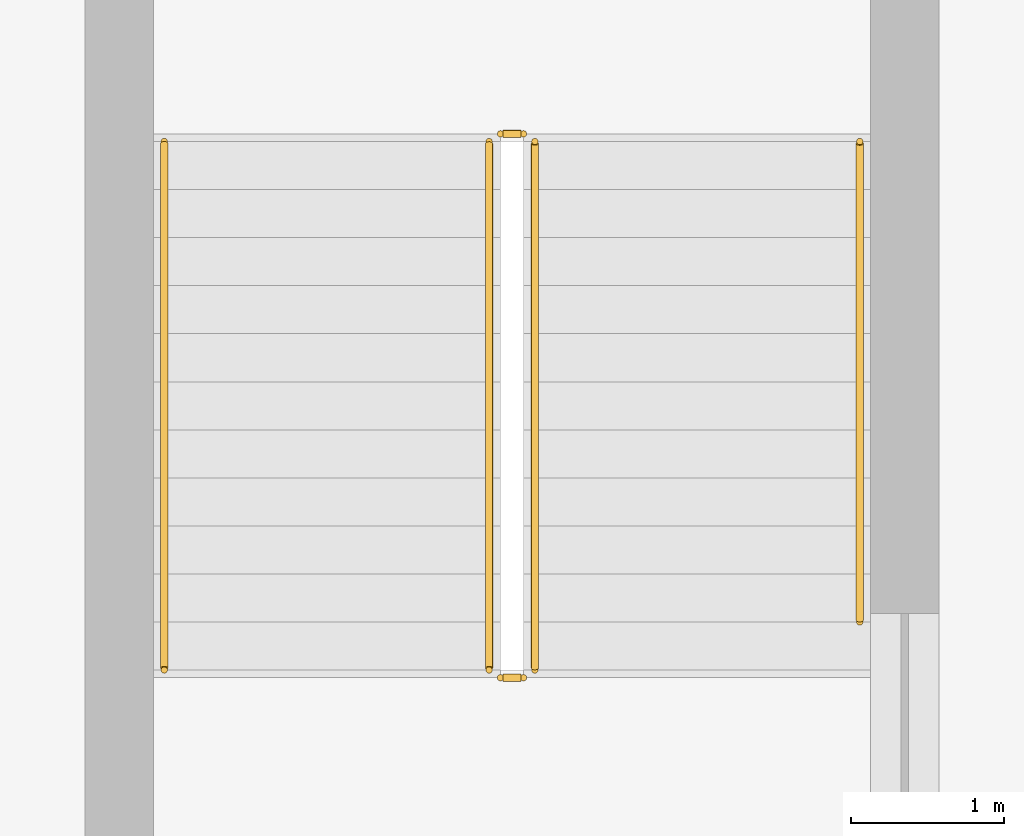
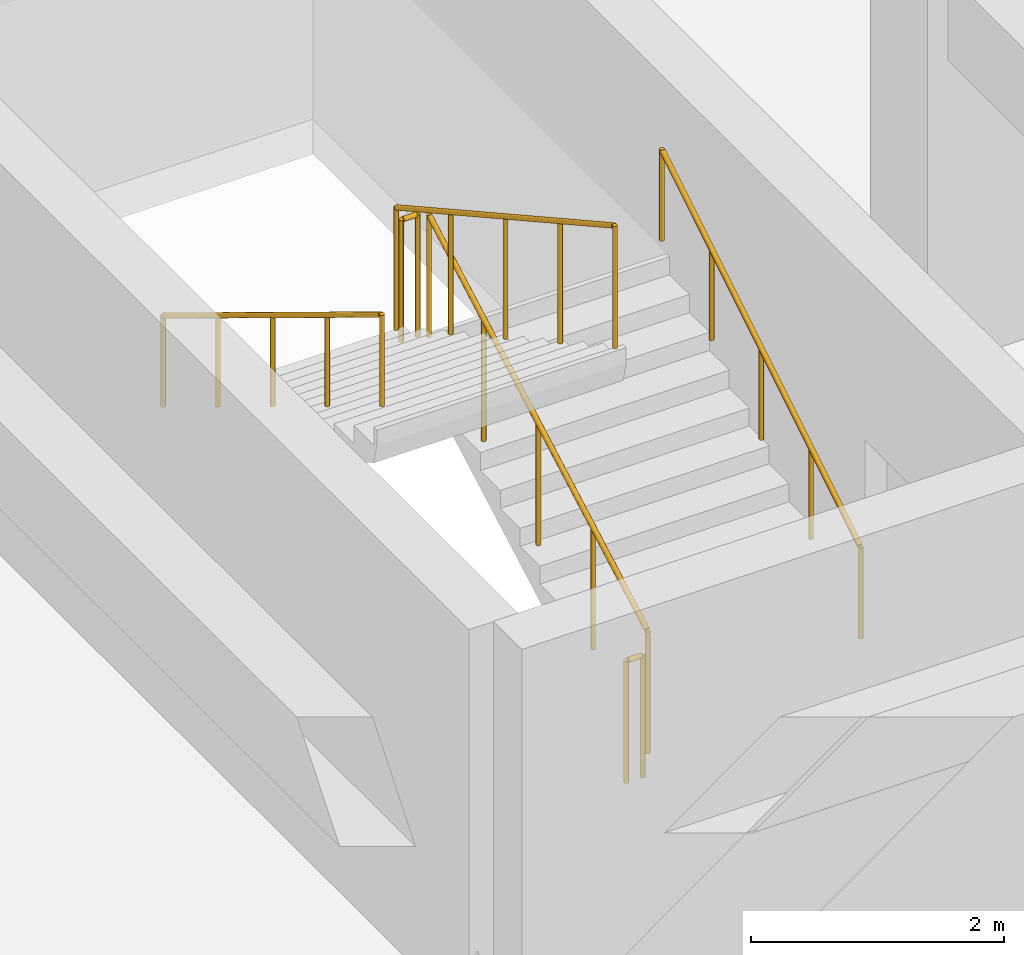
# One storey, part 24 of 39: 6 railings.
"""IFC4 building model written with IfcOpenShell, lengths in metres."""

from ifc_helpers import new_model, si_unit, direction, frame, origin, origin_2d, place, context, subcontext, project, spatial, circle, extrude, material, type_object, element, save


model = new_model("IFC4")

# Units and contexts
model_context = context("Model", 3, precision=1e-05, world=origin(), true_north=direction((0.0, 1.0)))
body_context = subcontext(model_context, "Body", "Model", "MODEL_VIEW")
ifc_project = project(units=[si_unit("LENGTHUNIT", "METRE"), si_unit("AREAUNIT", "SQUARE_METRE"), si_unit("VOLUMEUNIT", "CUBIC_METRE"), si_unit("PLANEANGLEUNIT", "RADIAN"), si_unit("MASSUNIT", "GRAM", prefix="KILO")], contexts=[model_context])

# Site, building, storey
site_placement = place(None, origin())
site = spatial("IfcSite", under=ifc_project, at=site_placement, CompositionType="ELEMENT")
building_placement = place(site_placement, origin())
building = spatial("IfcBuilding", under=site, at=building_placement, Name="Nakhvara Creek Congress Hotel", CompositionType="ELEMENT")
storey_placement = place(building_placement, frame((0.0, 0.0, -4.199951171875)))
storey = spatial("IfcBuildingStorey", under=building, at=storey_placement, Name="B1", CompositionType="ELEMENT", Elevation=-4.199951171875)

# Railings
ifc_material = material(Name="Brushed stainless steel 316L", Category="steel")
railing_type_1 = type_object("IfcRailingType", Name="RL-GUARD-1200", PredefinedType="GUARDRAIL", material=ifc_material)
railing_1_placement = place(storey_placement, frame((119.675048828125, 5.47998046875, 0.175048828125)))
element("IfcRailing", 1, at=railing_1_placement, inside=storey, type_object=railing_type_1, Name="B1 ST12 stair guard 1", PredefinedType="GUARDRAIL", context=body_context, shape_type="SweptSolid", body=[
    extrude(circle(Radius=0.02392578125, at=origin_2d()), frame((0.0, 0.012939453125, 1.18310546875), z_axis=(0.0, 0.874183422646, 0.48559586445), x_axis=(-1.0, 0.0, 0.0)), (0.0, 0.0, 1.0), 3.934326171875),
    extrude(circle(Radius=0.02099609375, at=origin_2d()), origin(), (0.0, 0.0, 1.0), 1.1806640625),
    extrude(circle(Radius=0.02099609375, at=origin_2d()), frame((0.0, 0.8662109375, 0.481201171875)), (0.0, 0.0, 1.0), 1.1806640625),
    extrude(circle(Radius=0.02099609375, at=origin_2d()), frame((0.0, 1.732421875, 0.96240234375)), (0.0, 0.0, 1.0), 1.1806640625),
    extrude(circle(Radius=0.02099609375, at=origin_2d()), frame((0.0, 2.598876953125, 1.443603515625)), (0.0, 0.0, 1.0), 1.1806640625),
    extrude(circle(Radius=0.02099609375, at=origin_2d()), frame((0.0, 3.465087890625, 1.9248046875)), (0.0, 0.0, 1.0), 1.1806640625),
])
railing_2_placement = place(storey_placement, frame((119.60009765625, 8.9951171875, 2.099853515625)))
element("IfcRailing", 2, at=railing_2_placement, inside=storey, type_object=railing_type_1, Name="B1 ST12 stair guard 2", PredefinedType="GUARDRAIL", context=body_context, shape_type="SweptSolid", body=[
    extrude(circle(Radius=0.02392578125, at=origin_2d()), frame((-0.0146484375, 0.0, 1.17578125), z_axis=(-1.0, 0.0, 0.0), x_axis=(0.0, -1.0, 0.0)), (0.0, 0.0, 1.0), 0.120849609375),
    extrude(circle(Radius=0.02099609375, at=origin_2d()), origin(), (0.0, 0.0, 1.0), 1.1806640625),
    extrude(circle(Radius=0.02099609375, at=origin_2d()), frame((-0.150146484375, 0.0, 0.0)), (0.0, 0.0, 1.0), 1.1806640625),
])
railing_3_placement = place(storey_placement, frame((119.375, 8.945068359375, 2.27490234375)))
element("IfcRailing", 3, at=railing_3_placement, inside=storey, type_object=railing_type_1, Name="B1 ST12 stair guard 3", PredefinedType="GUARDRAIL", context=body_context, shape_type="SweptSolid", body=[
    extrude(circle(Radius=0.02392578125, at=origin_2d()), frame((0.0, -0.012939453125, 1.18310546875), z_axis=(0.0, -0.874157276122, 0.485642931179), x_axis=(1.0, 0.0, 0.0)), (0.0, 0.0, 1.0), 3.9345703125),
    extrude(circle(Radius=0.02099609375, at=origin_2d()), origin(), (0.0, 0.0, 1.0), 1.1806640625),
    extrude(circle(Radius=0.02099609375, at=origin_2d()), frame((0.0, -0.8662109375, 0.481201171875)), (0.0, 0.0, 1.0), 1.1806640625),
    extrude(circle(Radius=0.02099609375, at=origin_2d()), frame((0.0, -1.732421875, 0.96240234375)), (0.0, 0.0, 1.0), 1.1806640625),
    extrude(circle(Radius=0.02099609375, at=origin_2d()), frame((0.0, -2.598876953125, 1.44384765625)), (0.0, 0.0, 1.0), 1.1806640625),
    extrude(circle(Radius=0.02099609375, at=origin_2d()), frame((0.0, -3.465087890625, 1.925048828125)), (0.0, 0.0, 1.0), 1.1806640625),
])
railing_4_placement = place(storey_placement, frame((119.60009765625, 5.429931640625, 0.0)))
element("IfcRailing", 4, at=railing_4_placement, inside=storey, type_object=railing_type_1, Name="B1 ST12 stair guard 4", PredefinedType="GUARDRAIL", context=body_context, shape_type="SweptSolid", body=[
    extrude(circle(Radius=0.02392578125, at=origin_2d()), frame((-0.0146484375, 0.0, 1.17578125), z_axis=(-1.0, 0.0, 0.0), x_axis=(0.0, -1.0, 0.0)), (0.0, 0.0, 1.0), 0.120849609375),
    extrude(circle(Radius=0.02099609375, at=origin_2d()), origin(), (0.0, 0.0, 1.0), 1.1806640625),
    extrude(circle(Radius=0.02099609375, at=origin_2d()), frame((-0.150146484375, 0.0, 0.0)), (0.0, 0.0, 1.0), 1.1806640625),
])
railing_type_2 = type_object("IfcRailingType", Name="RL-HAND-900", PredefinedType="HANDRAIL", material=ifc_material)
railing_5_placement = place(storey_placement, frame((121.804931640625, 5.794921875, 0.349853515625)))
element("IfcRailing", 5, at=railing_5_placement, inside=storey, type_object=railing_type_2, Name="B1 ST12 stair handrail 1", PredefinedType="HANDRAIL", context=body_context, shape_type="SweptSolid", body=[
    extrude(circle(Radius=0.02392578125, at=origin_2d()), frame((0.0, 0.012451171875, 0.883544921875), z_axis=(0.0, 0.851961960065, 0.523603684672), x_axis=(-1.0, 0.0, 0.0)), (0.0, 0.0, 1.0), 3.668212890625),
    extrude(circle(Radius=0.02099609375, at=origin_2d()), origin(), (0.0, 0.0, 1.0), 0.880615234375),
    extrude(circle(Radius=0.02099609375, at=origin_2d()), frame((0.0, 0.78759765625, 0.48388671875)), (0.0, 0.0, 1.0), 0.880615234375),
    extrude(circle(Radius=0.02099609375, at=origin_2d()), frame((0.0, 1.5751953125, 0.968017578125)), (0.0, 0.0, 1.0), 0.880615234375),
    extrude(circle(Radius=0.02099609375, at=origin_2d()), frame((0.0, 2.362548828125, 1.4521484375)), (0.0, 0.0, 1.0), 0.880615234375),
    extrude(circle(Radius=0.02099609375, at=origin_2d()), frame((0.0, 3.150146484375, 1.93603515625)), (0.0, 0.0, 1.0), 0.880615234375),
])
railing_6_placement = place(storey_placement, frame((117.2451171875, 8.945068359375, 2.27490234375)))
element("IfcRailing", 6, at=railing_6_placement, inside=storey, type_object=railing_type_2, Name="B1 ST12 stair handrail 2", PredefinedType="HANDRAIL", context=body_context, shape_type="SweptSolid", body=[
    extrude(circle(Radius=0.02392578125, at=origin_2d()), frame((0.0, -0.012451171875, 0.883544921875), z_axis=(0.0, -0.853990507121, 0.520288586985), x_axis=(1.0, 0.0, 0.0)), (0.0, 0.0, 1.0), 4.028076171875),
    extrude(circle(Radius=0.02099609375, at=origin_2d()), origin(), (0.0, 0.0, 1.0), 0.880615234375),
    extrude(circle(Radius=0.02099609375, at=origin_2d()), frame((0.0, -0.8662109375, 0.52783203125)), (0.0, 0.0, 1.0), 0.880615234375),
    extrude(circle(Radius=0.02099609375, at=origin_2d()), frame((0.0, -1.732421875, 1.0556640625)), (0.0, 0.0, 1.0), 0.880615234375),
    extrude(circle(Radius=0.02099609375, at=origin_2d()), frame((0.0, -2.598876953125, 1.583251953125)), (0.0, 0.0, 1.0), 0.880615234375),
    extrude(circle(Radius=0.02099609375, at=origin_2d()), frame((0.0, -3.465087890625, 2.111083984375)), (0.0, 0.0, 1.0), 0.880615234375),
])

save(model, "model.ifc")
